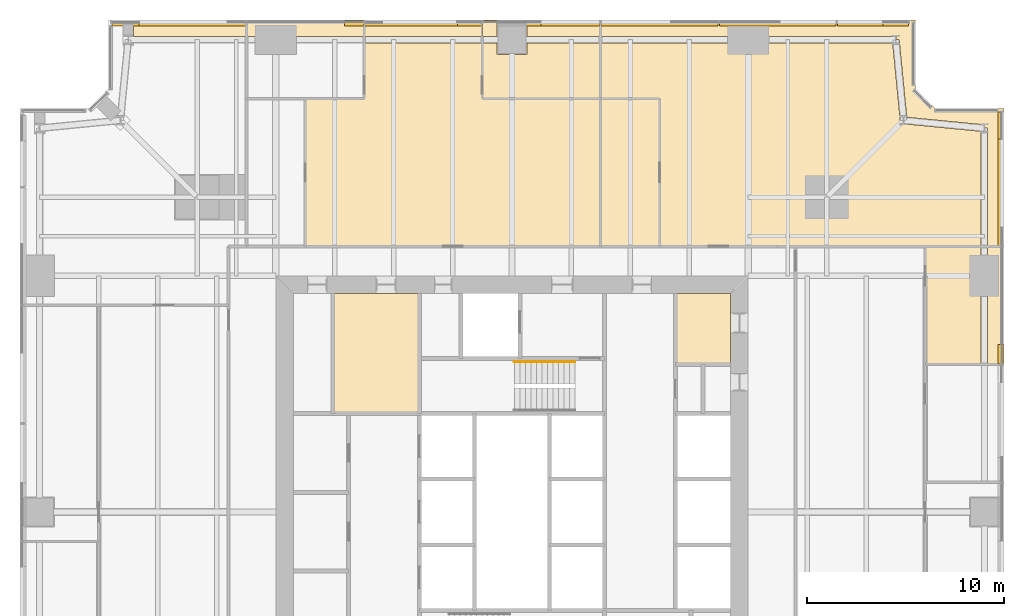
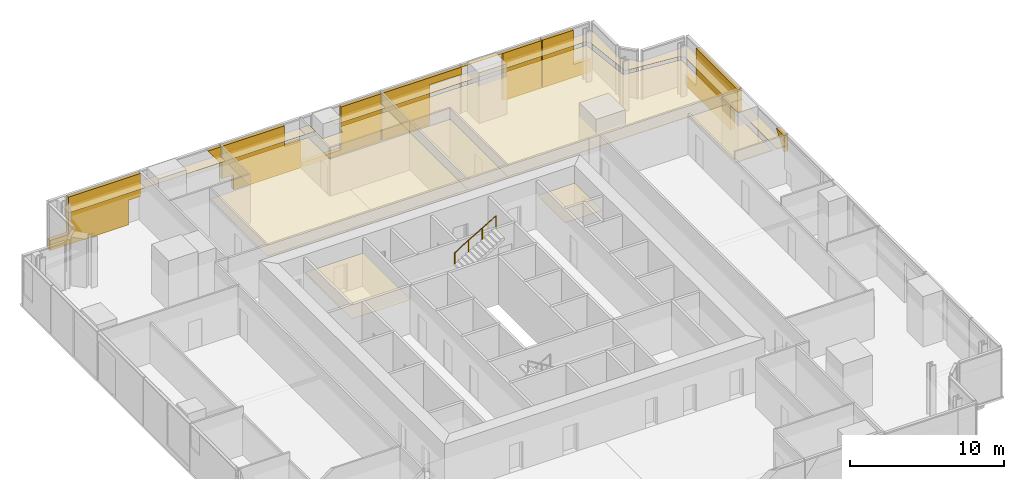
# One storey, part 14 of 14: 23 coverings, 1 railing.
"""IFC4 building model written with IfcOpenShell, lengths in metres."""

from ifc_helpers import new_model, si_unit, direction, frame, origin, origin_2d, place, context, subcontext, project, spatial, polyline, circle, outline, extrude, material, layer, layer_set, type_object, element, save


model = new_model("IFC4")

# Units and contexts
model_context = context("Model", 3, precision=1e-05, world=origin(), true_north=direction((0.0, 1.0)))
body_context = subcontext(model_context, "Body", "Model", "MODEL_VIEW")
ifc_project = project(units=[si_unit("LENGTHUNIT", "METRE"), si_unit("AREAUNIT", "SQUARE_METRE"), si_unit("VOLUMEUNIT", "CUBIC_METRE"), si_unit("PLANEANGLEUNIT", "RADIAN"), si_unit("MASSUNIT", "GRAM", prefix="KILO")], contexts=[model_context])

# Site, building, storey
site_placement = place(None, origin())
site = spatial("IfcSite", under=ifc_project, at=site_placement, CompositionType="ELEMENT")
building_placement = place(site_placement, origin())
building = spatial("IfcBuilding", under=site, at=building_placement, Name="Fenwick Lantern Interchange", CompositionType="ELEMENT")
storey_placement = place(building_placement, frame((0.0, 0.0, 118.39990234375)))
storey = spatial("IfcBuildingStorey", under=building, at=storey_placement, Name="L27", CompositionType="ELEMENT", Elevation=118.39990234375)

# Coverings
ifc_material_1 = material(Name="Mineral fibre acoustic tile on suspended grid")
ifc_layer_1 = layer(ifc_material_1, 0.02001953125)
ifc_layer_set_1 = layer_set([ifc_layer_1], Name="ACOUSTIC TILE CEILING 20")
covering_type_1 = type_object("IfcCoveringType", Name="ACOUSTIC TILE CEILING 20", PredefinedType="CEILING", material=ifc_layer_set_1)
covering_1_placement = place(storey_placement, frame((0.0, 0.0, 2.900146484375)))
element("IfcCovering", 1, at=covering_1_placement, inside=storey, type_object=covering_type_1, Name="Meeting room ceiling", PredefinedType="CEILING", context=body_context, shape_type="SweptSolid", body=[
    extrude(outline(polyline([(46.0, 32.5), (48.82763671875, 32.5), (48.82763671875, 37.0), (48.82763671875, 38.5), (46.0, 38.5), (46.0, 32.5)])), origin(), (0.0, 0.0, 1.0), 0.02001953125),
])
covering_2_placement = place(storey_placement, frame((0.0, 0.0, 2.900146484375)))
element("IfcCovering", 2, at=covering_2_placement, inside=storey, type_object=covering_type_1, Name="Meeting room ceiling", PredefinedType="CEILING", context=body_context, shape_type="SweptSolid", body=[
    extrude(outline(polyline([(50.0, 38.5), (49.17236328125, 38.5), (49.17236328125, 37.0), (49.17236328125, 32.5), (50.0, 32.5), (50.0, 38.5)])), origin(), (0.0, 0.0, 1.0), 0.02001953125),
])
covering_3_placement = place(storey_placement, frame((0.0, 0.0, 2.900146484375)))
element("IfcCovering", 3, at=covering_3_placement, inside=storey, type_object=covering_type_1, Name="Office suite ceiling", PredefinedType="CEILING", context=body_context, shape_type="SweptSolid", body=[
    extrude(outline(polyline([(29.5, 48.82763671875), (29.5, 46.0), (32.5, 46.0), (32.5, 38.5), (48.82763671875, 38.5), (48.82763671875, 44.343505859375), (44.88330078125, 44.728515625), (44.89990234375, 44.89990234375), (44.728515625, 44.88330078125), (44.343505859375, 48.82763671875), (37.0, 48.82763671875), (29.5, 48.82763671875)])), origin(), (0.0, 0.0, 1.0), 0.02001953125),
])
covering_4_placement = place(storey_placement, frame((0.0, 0.0, 2.900146484375)))
element("IfcCovering", 4, at=covering_4_placement, inside=storey, type_object=covering_type_1, Name="Office suite ceiling", PredefinedType="CEILING", context=body_context, shape_type="SweptSolid", body=[
    extrude(outline(polyline([(29.5, 50.0), (29.5, 49.17236328125), (37.0, 49.17236328125), (44.5, 49.17236328125), (44.5, 49.0), (44.671630859375, 49.016845703125), (45.057861328125, 45.057861328125), (49.016845703125, 44.671630859375), (49.0, 44.5), (49.17236328125, 44.5), (49.17236328125, 38.5), (50.0, 38.5), (50.0, 45.5), (46.5, 45.5), (45.5, 46.5), (45.5, 50.0), (29.5, 50.0)])), origin(), (0.0, 0.0, 1.0), 0.02001953125),
])
covering_5_placement = place(storey_placement, frame((0.0, 0.0, 2.900146484375)))
element("IfcCovering", 5, at=covering_5_placement, inside=storey, type_object=covering_type_1, Name="Meeting room ceiling", PredefinedType="CEILING", context=body_context, shape_type="SweptSolid", body=[
    extrude(outline(polyline([(32.5, 46.0), (29.5, 46.0), (29.5, 38.5), (32.5, 38.5), (32.5, 46.0)])), origin(), (0.0, 0.0, 1.0), 0.02001953125),
])
covering_6_placement = place(storey_placement, frame((0.0, 0.0, 2.900146484375)))
element("IfcCovering", 6, at=covering_6_placement, inside=storey, type_object=covering_type_1, Name="Office suite ceiling", PredefinedType="CEILING", context=body_context, shape_type="SweptSolid", body=[
    extrude(outline(polyline([(23.5, 46.0), (23.5, 48.82763671875), (17.5, 48.82763671875), (17.5, 46.0), (14.5, 46.0), (14.5, 38.5), (29.5, 38.5), (29.5, 46.0), (23.5, 46.0)])), origin(), (0.0, 0.0, 1.0), 0.02001953125),
])
covering_7_placement = place(storey_placement, frame((0.0, 0.0, 2.900146484375)))
element("IfcCovering", 7, at=covering_7_placement, inside=storey, type_object=covering_type_1, Name="Office suite ceiling", PredefinedType="CEILING", context=body_context, shape_type="SweptSolid", body=[
    extrude(outline(polyline([(23.5, 50.0), (17.5, 50.0), (17.5, 49.17236328125), (23.5, 49.17236328125), (23.5, 50.0)])), origin(), (0.0, 0.0, 1.0), 0.02001953125),
])
covering_8_placement = place(storey_placement, frame((0.0, 0.0, 2.900146484375)))
element("IfcCovering", 8, at=covering_8_placement, inside=storey, type_object=covering_type_1, Name="Office ceiling", PredefinedType="CEILING", context=body_context, shape_type="SweptSolid", body=[
    extrude(outline(polyline([(29.5, 46.0), (29.5, 48.82763671875), (25.75, 48.82763671875), (25.75, 48.25), (24.25, 48.25), (24.25, 48.82763671875), (23.5, 48.82763671875), (23.5, 46.0), (29.5, 46.0)])), origin(), (0.0, 0.0, 1.0), 0.02001953125),
])
covering_9_placement = place(storey_placement, frame((0.0, 0.0, 2.900146484375)))
element("IfcCovering", 9, at=covering_9_placement, inside=storey, type_object=covering_type_1, Name="Office ceiling", PredefinedType="CEILING", context=body_context, shape_type="SweptSolid", body=[
    extrude(outline(polyline([(29.5, 49.17236328125), (29.5, 50.0), (25.75, 50.0), (25.75, 49.17236328125), (29.5, 49.17236328125)])), origin(), (0.0, 0.0, 1.0), 0.02001953125),
])
covering_10_placement = place(storey_placement, frame((0.0, 0.0, 2.900146484375)))
element("IfcCovering", 10, at=covering_10_placement, inside=storey, type_object=covering_type_1, Name="Office ceiling", PredefinedType="CEILING", context=body_context, shape_type="SweptSolid", body=[
    extrude(outline(polyline([(23.5, 50.0), (23.5, 49.17236328125), (24.25, 49.17236328125), (24.25, 50.0), (23.5, 50.0)])), origin(), (0.0, 0.0, 1.0), 0.02001953125),
])
covering_11_placement = place(storey_placement, frame((0.0, 0.0, 2.900146484375)))
element("IfcCovering", 11, at=covering_11_placement, inside=storey, type_object=covering_type_1, Name="Office ceiling", PredefinedType="CEILING", context=body_context, shape_type="SweptSolid", body=[
    extrude(outline(polyline([(11.5, 50.0), (11.5, 49.17236328125), (13.0, 49.17236328125), (17.5, 49.17236328125), (17.5, 50.0), (11.5, 50.0)])), origin(), (0.0, 0.0, 1.0), 0.02001953125),
])
covering_12_placement = place(storey_placement, frame((0.0, 0.0, 2.900146484375)))
element("IfcCovering", 12, at=covering_12_placement, inside=storey, type_object=covering_type_1, Name="Office study ceiling", PredefinedType="CEILING", context=body_context, shape_type="SweptSolid", body=[
    extrude(outline(polyline([(5.76220703125, 50.0), (5.76220703125, 49.17236328125), (11.5, 49.17236328125), (11.5, 50.0), (5.76220703125, 50.0)])), origin(), (0.0, 0.0, 1.0), 0.02001953125),
])
ifc_material_2 = material(Name="Granite cladding, warm grey flamed finish, on aluminium carrier frame", Category="masonry")
ifc_layer_2 = layer(ifc_material_2, 0.300048828125)
ifc_layer_set_2 = layer_set([ifc_layer_2], Name="BRACE CASING PANEL 300")
covering_type_2 = type_object("IfcCoveringType", Name="BRACE CASING PANEL 300", PredefinedType="CLADDING", material=ifc_layer_set_2)
covering_13_placement = place(storey_placement, frame((49.89990234375, 4.60009765625, 2.4375), z_axis=(0.0, 0.0, 1.0), x_axis=(0.0, 1.0, 0.0)))
element("IfcCovering", 13, at=covering_13_placement, inside=storey, type_object=covering_type_2, Name="Brace casing 05 bay 05a", PredefinedType="CLADDING", context=body_context, shape_type="SweptSolid", body=[
    extrude(outline(polyline([(27.9326171875, 0.0), (28.9169921875, 1.3125), (27.9326171875, 1.3125), (27.9326171875, 0.0)])), frame((0.0, 0.2001953125, 0.0), z_axis=(0.0, -1.0, 0.0), x_axis=(1.0, 0.0, 0.0)), (0.0, 0.0, 1.0), 0.300048828125),
])
covering_14_placement = place(storey_placement, frame((49.89990234375, 4.60009765625, 0.0), z_axis=(0.0, 0.0, 1.0), x_axis=(0.0, 1.0, 0.0)))
element("IfcCovering", 14, at=covering_14_placement, inside=storey, type_object=covering_type_2, Name="Brace casing 05 bay 06a", PredefinedType="CLADDING", context=body_context, shape_type="SweptSolid", body=[
    extrude(outline(polyline([(34.842529296875, 0.0), (40.735107421875, 0.0), (40.735107421875, 0.80615234375), (39.35107421875, 0.80615234375), (39.35107421875, 3.75), (33.9326171875, 3.75), (33.9326171875, 1.9423828125), (34.842529296875, 1.9423828125), (34.842529296875, 0.0)])), frame((0.0, 0.2001953125, 0.0), z_axis=(0.0, -1.0, 0.0), x_axis=(1.0, 0.0, 0.0)), (0.0, 0.0, 1.0), 0.300048828125),
])
covering_15_placement = place(storey_placement, frame((45.39990234375, 49.89990234375, 0.0), z_axis=(0.0, 0.0, 1.0), x_axis=(-1.0, 0.0, 0.0)))
element("IfcCovering", 15, at=covering_15_placement, inside=storey, type_object=covering_type_2, Name="Brace casing 09 bay 00a", PredefinedType="CLADDING", context=body_context, shape_type="SweptSolid", body=[
    extrude(outline(polyline([(0.264892578125, 0.0), (3.867431640625, 0.0), (3.867431640625, 3.75), (1.544921875, 3.75), (1.544921875, 1.010986328125), (0.264892578125, 1.010986328125), (0.264892578125, 0.0)])), frame((0.0, 0.2001953125, 0.0), z_axis=(0.0, -1.0, 0.0), x_axis=(1.0, 0.0, 0.0)), (0.0, 0.0, 1.0), 0.300048828125),
])
covering_16_placement = place(storey_placement, frame((45.39990234375, 49.89990234375, 0.0), z_axis=(0.0, 0.0, 1.0), x_axis=(-1.0, 0.0, 0.0)))
element("IfcCovering", 16, at=covering_16_placement, inside=storey, type_object=covering_type_2, Name="Brace casing 09 bay 01a", PredefinedType="CLADDING", context=body_context, shape_type="SweptSolid", body=[
    extrude(outline(polyline([(3.9326171875, 0.0), (6.802001953125, 0.0), (6.802001953125, 3.744140625), (9.867431640625, 3.744140625), (9.867431640625, 3.75), (3.9326171875, 3.75), (3.9326171875, 0.0)])), frame((0.0, 0.2001953125, 0.0), z_axis=(0.0, -1.0, 0.0), x_axis=(1.0, 0.0, 0.0)), (0.0, 0.0, 1.0), 0.300048828125),
])
covering_17_placement = place(storey_placement, frame((45.39990234375, 49.89990234375, 0.0), z_axis=(0.0, 0.0, 1.0), x_axis=(-1.0, 0.0, 0.0)))
element("IfcCovering", 17, at=covering_17_placement, inside=storey, type_object=covering_type_2, Name="Brace casing 09 bay 02a", PredefinedType="CLADDING", context=body_context, shape_type="SweptSolid", body=[
    extrude(outline(polyline([(12.3125, 0.0), (15.867431640625, 0.0), (15.867431640625, 3.75), (9.9326171875, 3.75), (9.9326171875, 3.177490234375), (12.3125, 3.177490234375), (12.3125, 0.0)])), frame((0.0, 0.2001953125, 0.0), z_axis=(0.0, -1.0, 0.0), x_axis=(1.0, 0.0, 0.0)), (0.0, 0.0, 1.0), 0.300048828125),
])
covering_18_placement = place(storey_placement, frame((45.39990234375, 49.89990234375, 0.0), z_axis=(0.0, 0.0, 1.0), x_axis=(-1.0, 0.0, 0.0)))
element("IfcCovering", 18, at=covering_18_placement, inside=storey, type_object=covering_type_2, Name="Brace casing 09 bay 03a", PredefinedType="CLADDING", context=body_context, shape_type="SweptSolid", body=[
    extrude(outline(polyline([(15.9326171875, 0.0), (21.867431640625, 0.0), (21.867431640625, 0.350830078125), (18.93310546875, 0.350830078125), (18.93310546875, 3.75), (15.9326171875, 3.75), (15.9326171875, 0.0)])), frame((0.0, 0.2001953125, 0.0), z_axis=(0.0, -1.0, 0.0), x_axis=(1.0, 0.0, 0.0)), (0.0, 0.0, 1.0), 0.300048828125),
])
covering_19_placement = place(storey_placement, frame((45.39990234375, 49.89990234375, 0.0), z_axis=(0.0, 0.0, 1.0), x_axis=(-1.0, 0.0, 0.0)))
element("IfcCovering", 19, at=covering_19_placement, inside=storey, type_object=covering_type_2, Name="Brace casing 09 bay 04a", PredefinedType="CLADDING", context=body_context, shape_type="SweptSolid", body=[
    extrude(outline(polyline([(21.9326171875, 0.0), (26.984375, 0.0), (26.984375, 1.17333984375), (27.867431640625, 1.17333984375), (27.867431640625, 3.75), (23.172607421875, 3.75), (23.172607421875, 2.0908203125), (21.9326171875, 2.0908203125), (21.9326171875, 0.0)])), frame((0.0, 0.2001953125, 0.0), z_axis=(0.0, -1.0, 0.0), x_axis=(1.0, 0.0, 0.0)), (0.0, 0.0, 1.0), 0.300048828125),
])
covering_20_placement = place(storey_placement, frame((45.39990234375, 49.89990234375, 2.4375), z_axis=(0.0, 0.0, 1.0), x_axis=(-1.0, 0.0, 0.0)))
element("IfcCovering", 20, at=covering_20_placement, inside=storey, type_object=covering_type_2, Name="Brace casing 09 bay 05a", PredefinedType="CLADDING", context=body_context, shape_type="SweptSolid", body=[
    extrude(outline(polyline([(27.9326171875, 0.0), (28.9169921875, 1.3125), (27.9326171875, 1.3125), (27.9326171875, 0.0)])), frame((0.0, 0.2001953125, 0.0), z_axis=(0.0, -1.0, 0.0), x_axis=(1.0, 0.0, 0.0)), (0.0, 0.0, 1.0), 0.300048828125),
])
covering_21_placement = place(storey_placement, frame((45.39990234375, 49.89990234375, 0.0), z_axis=(0.0, 0.0, 1.0), x_axis=(-1.0, 0.0, 0.0)))
element("IfcCovering", 21, at=covering_21_placement, inside=storey, type_object=covering_type_2, Name="Brace casing 09 bay 06a", PredefinedType="CLADDING", context=body_context, shape_type="SweptSolid", body=[
    extrude(outline(polyline([(34.842529296875, 0.0), (40.735107421875, 0.0), (40.735107421875, 0.80615234375), (39.35107421875, 0.80615234375), (39.35107421875, 3.75), (33.9326171875, 3.75), (33.9326171875, 1.9423828125), (34.842529296875, 1.9423828125), (34.842529296875, 0.0)])), frame((0.0, 0.2001953125, 0.0), z_axis=(0.0, -1.0, 0.0), x_axis=(1.0, 0.0, 0.0)), (0.0, 0.0, 1.0), 0.300048828125),
])

# Railing
ifc_material_3 = material(Name="Stainless steel handrail", Category="steel")
railing_type = type_object("IfcRailingType", Name="HANDRAIL 900", PredefinedType="HANDRAIL", material=ifc_material_3)
railing_placement = place(storey_placement, frame((25.1201171875, 32.6259765625, 2.166748046875)))
element("IfcRailing", 22, at=railing_placement, inside=storey, type_object=railing_type, Name="L27/STAIR/ST2/HR2", PredefinedType="HANDRAIL", context=body_context, shape_type="SweptSolid", body=[
    extrude(circle(Radius=0.02392578125, at=origin_2d()), frame((0.0, 0.0, 0.8759765625), z_axis=(0.859290745958, 0.0, 0.51148745235), x_axis=(0.0, 1.0, 0.0)), (0.0, 0.0, 1.0), 3.584228515625),
    extrude(circle(Radius=0.02099609375, at=origin_2d()), origin(), (0.0, 0.0, 1.0), 0.851806640625),
    extrude(circle(Radius=0.02099609375, at=origin_2d()), frame((1.026611328125, 0.0, 0.611083984375)), (0.0, 0.0, 1.0), 0.851806640625),
    extrude(circle(Radius=0.02099609375, at=origin_2d()), frame((2.05322265625, 0.0, 1.22216796875)), (0.0, 0.0, 1.0), 0.851806640625),
    extrude(circle(Radius=0.02099609375, at=origin_2d()), frame((3.079833984375, 0.0, 1.833251953125)), (0.0, 0.0, 1.0), 0.851806640625),
])

# Coverings
ifc_material_4 = material(Name="Moisture resistant gypsum board on suspended frame, painted")
ifc_layer_3 = layer(ifc_material_4, 0.014892578125)
ifc_layer_set_3 = layer_set([ifc_layer_3], Name="MOISTURE RESISTANT CEILING 15")
covering_type_3 = type_object("IfcCoveringType", Name="MOISTURE RESISTANT CEILING 15", PredefinedType="CEILING", material=ifc_layer_set_3)
covering_22_placement = place(storey_placement, frame((0.0, 0.0, 2.60009765625)))
element("IfcCovering", 23, at=covering_22_placement, inside=storey, type_object=covering_type_3, Name="Women's WC ceiling", PredefinedType="CEILING", context=body_context, shape_type="SweptSolid", body=[
    extrude(outline(polyline([(20.300048828125, 36.10009765625), (15.89990234375, 36.10009765625), (15.89990234375, 30.0), (20.300048828125, 30.0), (20.300048828125, 36.10009765625)])), origin(), (0.0, 0.0, 1.0), 0.014892578125),
])
covering_23_placement = place(storey_placement, frame((0.0, 0.0, 2.60009765625)))
element("IfcCovering", 24, at=covering_23_placement, inside=storey, type_object=covering_type_3, Name="Accessible WC and shower ceiling", PredefinedType="CEILING", context=body_context, shape_type="SweptSolid", body=[
    extrude(outline(polyline([(36.10009765625, 36.10009765625), (33.300048828125, 36.10009765625), (33.300048828125, 32.5), (36.10009765625, 32.5), (36.10009765625, 36.10009765625)])), origin(), (0.0, 0.0, 1.0), 0.014892578125),
])

save(model, "model.ifc")
